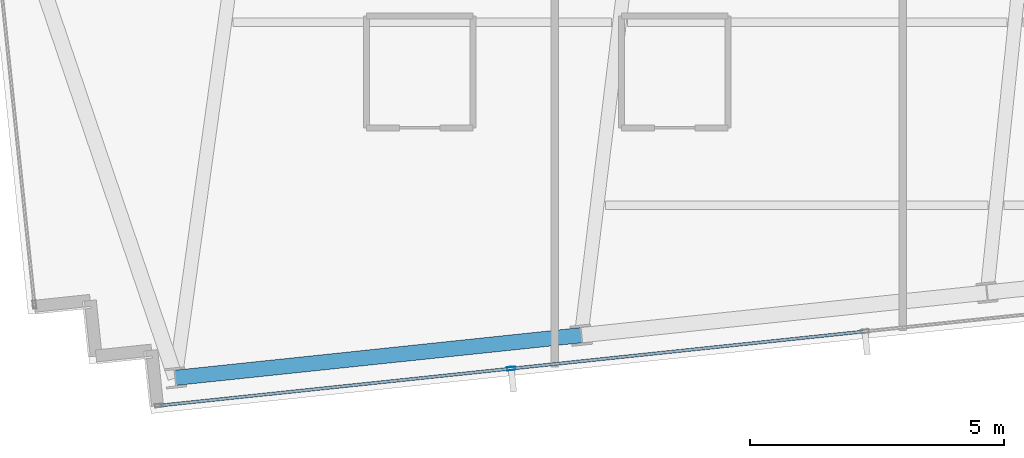
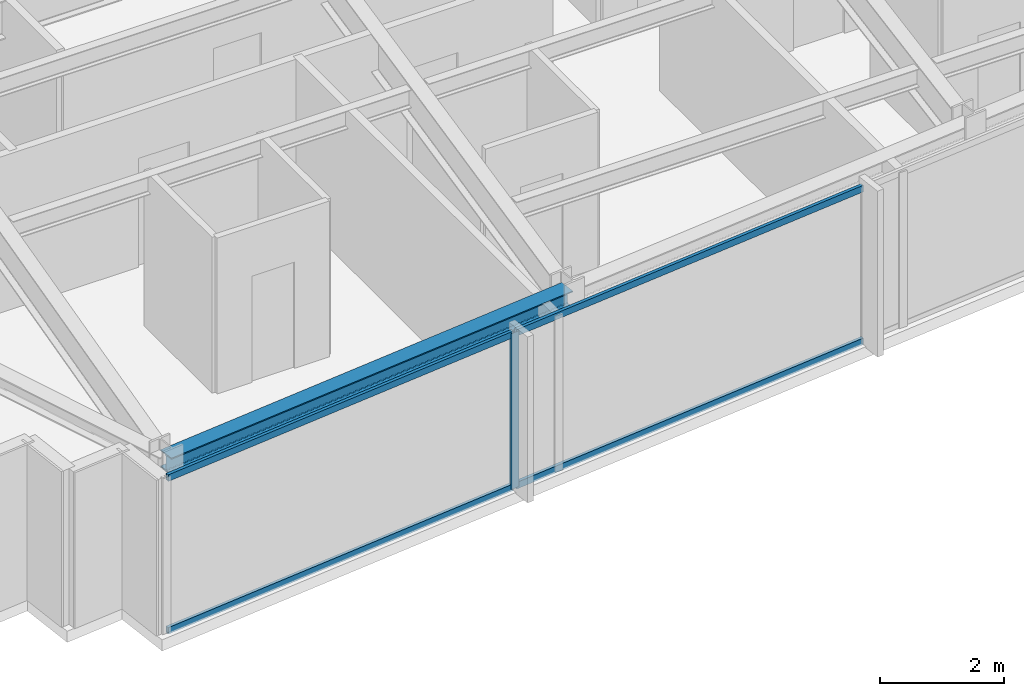
# One storey, part 3 of 33: 5 members, 1 beam, 1 element without a shape of its own.
"""IFC4 building model written with IfcOpenShell, lengths in metres."""

from ifc_helpers import new_model, si_unit, direction, frame, origin, origin_2d, place, context, subcontext, project, spatial, hollow_rectangle, i_section, extrude, material, material_profile, profile_set, type_object, element, aggregate, save


model = new_model("IFC4")

# Units and contexts
model_context = context("Model", 3, precision=1e-05, world=origin(), true_north=direction((0.0, 1.0)))
body_context = subcontext(model_context, "Body", "Model", "MODEL_VIEW")
ifc_project = project(units=[si_unit("LENGTHUNIT", "METRE"), si_unit("AREAUNIT", "SQUARE_METRE"), si_unit("VOLUMEUNIT", "CUBIC_METRE"), si_unit("PLANEANGLEUNIT", "RADIAN"), si_unit("MASSUNIT", "GRAM", prefix="KILO")], contexts=[model_context])

# Site, building, storey
site_placement = place(None, origin())
site = spatial("IfcSite", under=ifc_project, at=site_placement, CompositionType="ELEMENT")
building_placement = place(site_placement, origin())
building = spatial("IfcBuilding", under=site, at=building_placement, Name="Yelkora Congress Tower", CompositionType="ELEMENT")
storey_placement = place(building_placement, frame((0.0, 0.0, 230.89990234375)))
storey = spatial("IfcBuildingStorey", under=building, at=storey_placement, Name="L64", CompositionType="ELEMENT", Elevation=230.89990234375)

# Beam
ifc_material_1 = material(Name="Steel S355J2", Category="steel")
ifc_material_profile_1 = material_profile(ifc_material_1, i_section(OverallWidth=0.300048828125, OverallDepth=0.340087890625, WebThickness=0.011962890625, FlangeThickness=0.021484375, FilletRadius=0.027099609375, at=origin_2d()), Name="HEB 340")
ifc_profile_set_1 = profile_set([ifc_material_profile_1], Name="Steel S355J2")
beam_type = type_object("IfcBeamType", Name="BM-SPAN-HEB340", PredefinedType="SPANDREL", material=ifc_profile_set_1)
beam_placement = place(storey_placement, frame((21.299072265625, 12.678466796875, 2.91015625), z_axis=(0.994520097542, 0.104545567032, 0.0), x_axis=(-0.104545567032, 0.994520097542, 0.0)))
element("IfcBeam", 1, at=beam_placement, inside=storey, type_object=beam_type, Name="L64 Perimeter Beam 3", PredefinedType="SPANDREL", context=body_context, shape_type="SweptSolid", body=[
    extrude(i_section(OverallWidth=0.300048828125, OverallDepth=0.340087890625, WebThickness=0.011962890625, FlangeThickness=0.021484375, FilletRadius=0.027099609375, at=origin_2d()), origin(), (0.0, 0.0, 1.0), 8.033203125),
])

# Curtain wall, members
ifc_material_2 = material(Name="Anodised aluminium and insulated glass", Category="aluminium")
curtain_wall_type = type_object("IfcCurtainWallType", Name="CW-SYS-B4", PredefinedType="NOTDEFINED", material=ifc_material_2)
curtain_wall_placement = place(storey_placement, origin())
curtain_wall = element("IfcCurtainWall", 2, at=curtain_wall_placement, inside=storey, type_object=curtain_wall_type, Name="L64 Unitised Curtain Wall 20", PredefinedType="NOTDEFINED")
ifc_material_3 = material(Name="Anodised aluminium 6063-T6", Category="aluminium")
ifc_material_profile_2 = material_profile(ifc_material_3, hollow_rectangle(XDim=0.06494140625, YDim=0.159912109375, WallThickness=0.00390625, at=origin_2d()), Name="ALU 65x160x4")
ifc_profile_set_2 = profile_set([ifc_material_profile_2], Name="Anodised aluminium 6063-T6")
member_type_1 = type_object("IfcMemberType", Name="MEM-ML-B4", PredefinedType="MULLION", material=ifc_profile_set_2)
member_1_placement = place(storey_placement, frame((27.9091796875, 12.860595703125, 0.0), z_axis=(0.0, 0.0, 1.0), x_axis=(0.104526664994, -0.994522084373, 0.0)))
member_1 = element("IfcMember", 3, at=member_1_placement, type_object=member_type_1, Name="CW-B4 mullion 7", PredefinedType="MULLION", context=body_context, shape_type="SweptSolid", body=[
    extrude(hollow_rectangle(XDim=0.06494140625, YDim=0.159912109375, WallThickness=0.00390625, at=origin_2d()), origin(), (0.0, 0.0, 1.0), 3.080078125),
])
ifc_material_profile_3 = material_profile(ifc_material_3, hollow_rectangle(XDim=0.06005859375, YDim=0.1298828125, WallThickness=0.00390625, at=origin_2d()), Name="ALU 60x130x4")
ifc_profile_set_3 = profile_set([ifc_material_profile_3], Name="Anodised aluminium 6063-T6")
member_type_2 = type_object("IfcMemberType", Name="MEM-TR-B4", PredefinedType="USERDEFINED", material=ifc_profile_set_3)
member_2_placement = place(storey_placement, frame((34.84130859375, 13.589111328125, 0.030029296875), z_axis=(-0.994519904787, -0.104547400648, 0.0), x_axis=(0.104547400648, -0.994519904787, 0.0)))
member_2 = element("IfcMember", 4, at=member_2_placement, type_object=member_type_2, Name="CW-B4 transom 6.1", ObjectType="TRANSOM", PredefinedType="USERDEFINED", context=body_context, shape_type="SweptSolid", body=[
    extrude(hollow_rectangle(XDim=0.06005859375, YDim=0.1298828125, WallThickness=0.00390625, at=origin_2d()), origin(), (0.0, 0.0, 1.0), 6.93798828125),
])
member_3_placement = place(storey_placement, frame((34.84130859375, 13.589111328125, 3.050048828125), z_axis=(-0.994519904787, -0.104547400648, 0.0), x_axis=(0.104547400648, -0.994519904787, 0.0)))
member_3 = element("IfcMember", 5, at=member_3_placement, type_object=member_type_2, Name="CW-B4 transom 6.2", ObjectType="TRANSOM", PredefinedType="USERDEFINED", context=body_context, shape_type="SweptSolid", body=[
    extrude(hollow_rectangle(XDim=0.06005859375, YDim=0.1298828125, WallThickness=0.00390625, at=origin_2d()), origin(), (0.0, 0.0, 1.0), 6.93798828125),
])
member_4_placement = place(storey_placement, frame((27.876708984375, 12.857177734375, 0.030029296875), z_axis=(-0.994519973075, -0.104546751053, 0.0), x_axis=(0.104546751053, -0.994519973075, 0.0)))
member_4 = element("IfcMember", 6, at=member_4_placement, type_object=member_type_2, Name="CW-B4 transom 7.1", ObjectType="TRANSOM", PredefinedType="USERDEFINED", context=body_context, shape_type="SweptSolid", body=[
    extrude(hollow_rectangle(XDim=0.06005859375, YDim=0.1298828125, WallThickness=0.00390625, at=origin_2d()), origin(), (0.0, 0.0, 1.0), 6.9052734375),
])
member_5_placement = place(storey_placement, frame((27.876708984375, 12.857177734375, 3.050048828125), z_axis=(-0.994519973075, -0.104546751053, 0.0), x_axis=(0.104546751053, -0.994519973075, 0.0)))
member_5 = element("IfcMember", 7, at=member_5_placement, type_object=member_type_2, Name="CW-B4 transom 7.2", ObjectType="TRANSOM", PredefinedType="USERDEFINED", context=body_context, shape_type="SweptSolid", body=[
    extrude(hollow_rectangle(XDim=0.06005859375, YDim=0.1298828125, WallThickness=0.00390625, at=origin_2d()), origin(), (0.0, 0.0, 1.0), 6.9052734375),
])
aggregate(curtain_wall, [member_1, member_2, member_3, member_4, member_5])

save(model, "model.ifc")
